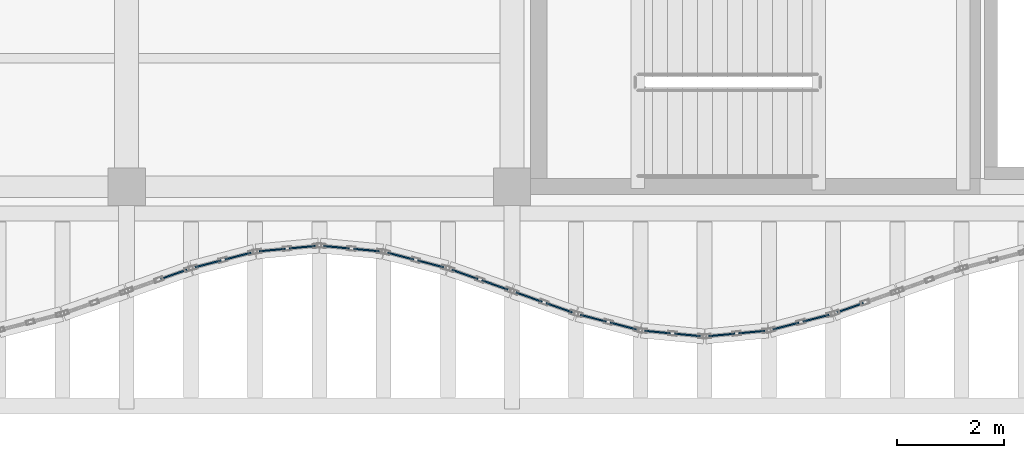
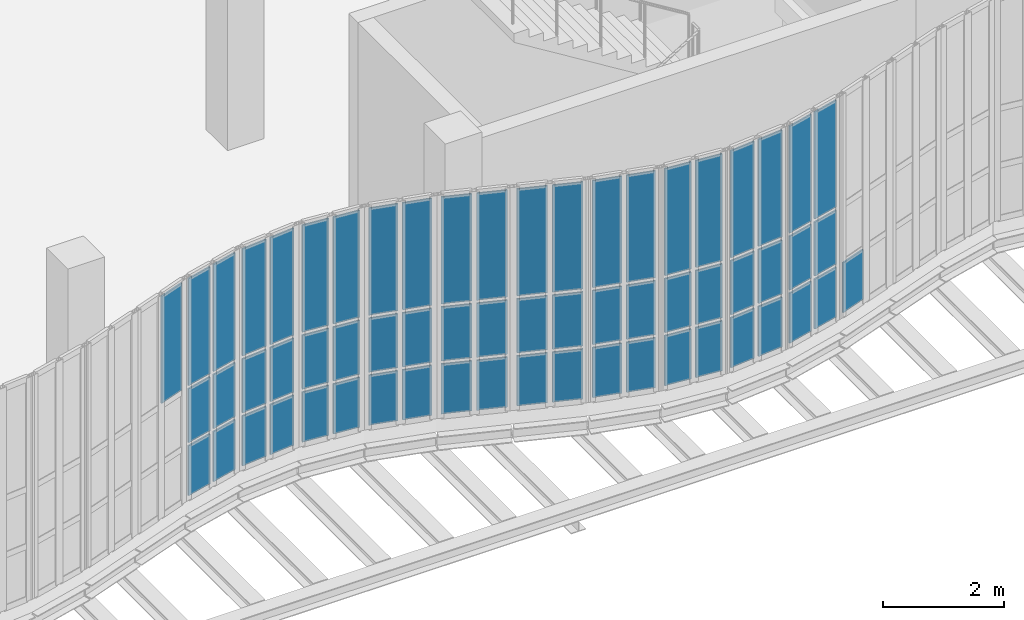
# One storey, part 69 of 108: 62 plates, 12 elements without a shape of their own.
"""IFC4 building model written with IfcOpenShell, lengths in metres."""

import ifcopenshell
import ifcopenshell.guid

model = None  # the IFC model being written
_history = None  # IfcOwnerHistory: only IFC2X3 demands one
_inside = {}  # id of a spatial element -> (the spatial element, [elements in it])
_under = {}  # id of a project, library or spatial element -> (it, [spatial elements below it])
_declared = {}  # id of a project -> (the project, [libraries it declares])
_typed = {}  # id of a type object -> (the type object, [elements of that type])
_made_of = {}  # id of a material, layer set ... -> (it, [elements and type objects made of it])


def new_model(schema):
    """Start an empty IFC model of exactly this schema.

    Asked for "IFC4X3", IfcOpenShell would pick the latest addendum, in which some entities
    have other attributes; the version numbers below select the first issue.
    IFC2X3 requires an IfcOwnerHistory on every rooted entity: one is made here for all.
    """
    global model, _history
    if schema == "IFC4X3":
        model = ifcopenshell.file(schema_version=(4, 3, 0, 0))
    else:
        model = ifcopenshell.file(schema=schema)
    _inside.clear()
    _under.clear()
    _declared.clear()
    _typed.clear()
    _made_of.clear()
    _history = None
    if model.schema == "IFC2X3":
        org = make("IfcOrganization", Name="unknown")
        user = make(
            "IfcPersonAndOrganization",
            ThePerson=make("IfcPerson", FamilyName="unknown"),
            TheOrganization=org,
        )
        app = make(
            "IfcApplication",
            ApplicationDeveloper=org,
            Version="unknown",
            ApplicationFullName="unknown",
            ApplicationIdentifier="unknown",
        )
        _history = make(
            "IfcOwnerHistory",
            OwningUser=user,
            OwningApplication=app,
            ChangeAction="ADDED",
            CreationDate=0,
        )
    return model


def make(cls, **values):
    """One entity of the class cls with the attributes given. An attribute that is None is left unset."""
    return model.create_entity(
        cls, **{name: value for name, value in values.items() if value is not None}
    )


def rooted(cls, **values):
    """An entity with a GlobalId (a new one), such as an element, a storey or a relation."""
    return make(cls, GlobalId=ifcopenshell.guid.new(), OwnerHistory=_history, **values)


def si_unit(unit_type, name, prefix=None):
    """IfcSIUnit, for example si_unit("LENGTHUNIT", "METRE", prefix="MILLI")."""
    return make("IfcSIUnit", UnitType=unit_type, Prefix=prefix, Name=name)


def assignment(units):
    """IfcUnitAssignment: the units of a project."""
    return None if units is None else make("IfcUnitAssignment", Units=units)


def point(xyz):
    """IfcCartesianPoint."""
    return None if xyz is None else make("IfcCartesianPoint", Coordinates=xyz)


def direction(xyz):
    """IfcDirection."""
    return None if xyz is None else make("IfcDirection", DirectionRatios=xyz)


def frame(location, z_axis=None, x_axis=None):
    """IfcAxis2Placement3D, a coordinate frame: its origin and axes. An axis left out is left unset."""
    return make(
        "IfcAxis2Placement3D",
        Location=point(location),
        Axis=direction(z_axis),
        RefDirection=direction(x_axis),
    )


def frame_2d(location, x_axis=None):
    """IfcAxis2Placement2D, a coordinate frame in the plane: its origin and x axis."""
    return make(
        "IfcAxis2Placement2D", Location=point(location), RefDirection=direction(x_axis)
    )


def origin():
    """The frame at (0, 0, 0) with its axes left unset."""
    return frame((0.0, 0.0, 0.0))


def origin_2d():
    """The frame at (0, 0) in the plane with its x axis left unset."""
    return frame_2d((0.0, 0.0))


def place(relative_to, where):
    """IfcLocalPlacement: puts the frame where relative to a parent placement (None: the world)."""
    return make(
        "IfcLocalPlacement", PlacementRelTo=relative_to, RelativePlacement=where
    )


def context(
    kind, dimensions, precision=None, world=None, true_north=None, identifier=None
):
    """IfcGeometricRepresentationContext, for example the 3D "Model" context."""
    return make(
        "IfcGeometricRepresentationContext",
        ContextIdentifier=identifier,
        ContextType=kind,
        CoordinateSpaceDimension=dimensions,
        Precision=precision,
        WorldCoordinateSystem=world,
        TrueNorth=true_north,
    )


def subcontext(parent, identifier, kind, view, scale=None):
    """IfcGeometricRepresentationSubContext, for example "Body" below "Model"."""
    return make(
        "IfcGeometricRepresentationSubContext",
        ContextIdentifier=identifier,
        ContextType=kind,
        ParentContext=parent,
        TargetScale=scale,
        TargetView=view,
    )


def project(units=None, contexts=None):
    """IfcProject with its units and contexts."""
    return rooted(
        "IfcProject",
        Name="project",
        RepresentationContexts=contexts,
        UnitsInContext=assignment(units),
    )


def spatial(cls, under=None, at=None, **own):
    """A site, building, storey or space (cls), placed at a placement, below another one or the project."""
    s = rooted(cls, ObjectPlacement=at, **own)
    if under is not None:
        _under.setdefault(under.id(), (under, []))[1].append(s)
    return s


def profile(cls, at=None, kind="AREA", **sizes):
    """A parametric profile (cls). Its sizes go by their IFC names, for example OverallWidth=200.0."""
    return make(cls, ProfileType=kind, Position=at, **sizes)


def rectangle(**sizes):
    """IfcRectangleProfileDef."""
    return profile("IfcRectangleProfileDef", **sizes)


def extrude(swept, where, along, depth):
    """IfcExtrudedAreaSolid: the profile swept, set in the frame where, extruded along a direction by depth."""
    return make(
        "IfcExtrudedAreaSolid",
        SweptArea=swept,
        Position=where,
        ExtrudedDirection=direction(along),
        Depth=depth,
    )


def shape(context_of_items, identifier, shape_type, items):
    """IfcShapeRepresentation: the items that make up one representation, for example the "Body"."""
    return make(
        "IfcShapeRepresentation",
        ContextOfItems=context_of_items,
        RepresentationIdentifier=identifier,
        RepresentationType=shape_type,
        Items=items,
    )


def material(Name=None, Category=None):
    """IfcMaterial."""
    return make("IfcMaterial", Name=Name, Category=Category)


def layer(
    of_material, thickness, ventilated=None, Name=None, Category=None, Priority=None
):
    """IfcMaterialLayer: one layer of a wall or slab, of a material (None: an air gap)."""
    return make(
        "IfcMaterialLayer",
        Material=of_material,
        LayerThickness=thickness,
        IsVentilated=ventilated,
        Name=Name,
        Category=Category,
        Priority=Priority,
    )


def layer_set(layers, Name=None):
    """IfcMaterialLayerSet."""
    return make("IfcMaterialLayerSet", MaterialLayers=layers, LayerSetName=Name)


def made_of(thing, what):
    """Note that an element or type object is made of a material, layer set ...; save() writes the relation."""
    if what is not None:
        _made_of.setdefault(what.id(), (what, []))[1].append(thing)
    return thing


def type_object(cls, material=None, **own):
    """A type object (cls), such as IfcWallType, which elements share."""
    return made_of(rooted(cls, **own), material)


def element(
    cls,
    number,
    at=None,
    inside=None,
    cuts=None,
    type_object=None,
    material=None,
    context=None,
    identifier="Body",
    shape_type=None,
    held_by="IfcProductDefinitionShape",
    body=None,
    shapes=None,
    **own,
):
    """One element of the class cls, such as IfcWall. Its Tag is "e" and its number.

    at: its placement. inside: the storey or other place that contains it. cuts: it is an
    opening in that element (IfcRelVoidsElement). A single representation is given by context,
    identifier, shape_type and body (its items); several are given by shapes. held_by: the class
    of the entity that holds the representations. save() writes the other relations.
    """
    e = rooted(cls, Tag="e%d" % number, ObjectPlacement=at, **own)
    if body is not None:
        shapes = [shape(context, identifier, shape_type, body)]
    if shapes is not None:
        e.Representation = make(held_by, Representations=shapes)
    if inside is not None:
        _inside.setdefault(inside.id(), (inside, []))[1].append(e)
    if cuts is not None:
        rooted(
            "IfcRelVoidsElement", RelatingBuildingElement=cuts, RelatedOpeningElement=e
        )
    if type_object is not None:
        _typed.setdefault(type_object.id(), (type_object, []))[1].append(e)
    return made_of(e, material)


def aggregate(whole, parts):
    """IfcRelAggregates: a whole, such as a stair, and the parts it consists of."""
    return rooted("IfcRelAggregates", RelatingObject=whole, RelatedObjects=parts)


def save(model, path):
    """Write the relations noted so far, then the file.

    IfcRelAggregates (storeys below a building ...), IfcRelContainedInSpatialStructure (elements
    in a storey), IfcRelDefinesByType, IfcRelAssociatesMaterial and IfcRelDeclares: one each for
    every whole, place, type object, material and project.
    """
    for whole, parts in _under.values():
        aggregate(whole, parts)
    for where, things in _inside.values():
        rooted(
            "IfcRelContainedInSpatialStructure",
            RelatedElements=things,
            RelatingStructure=where,
        )
    for kind, things in _typed.values():
        rooted("IfcRelDefinesByType", RelatedObjects=things, RelatingType=kind)
    for what, things in _made_of.values():
        rooted("IfcRelAssociatesMaterial", RelatedObjects=things, RelatingMaterial=what)
    for by, libraries in _declared.values():
        rooted("IfcRelDeclares", RelatingContext=by, RelatedDefinitions=libraries)
    model.write(path)


model = new_model("IFC4")

# Units and contexts
model_context = context("Model", 3, precision=1e-05, world=origin(), true_north=direction((0.0, 1.0)))
body_context = subcontext(model_context, "Body", "Model", "MODEL_VIEW")
ifc_project = project(units=[si_unit("LENGTHUNIT", "METRE"), si_unit("AREAUNIT", "SQUARE_METRE"), si_unit("VOLUMEUNIT", "CUBIC_METRE"), si_unit("PLANEANGLEUNIT", "RADIAN"), si_unit("MASSUNIT", "GRAM", prefix="KILO"), si_unit("THERMODYNAMICTEMPERATUREUNIT", "KELVIN"), si_unit("POWERUNIT", "WATT")], contexts=[model_context])

# Site, building, storey
site_placement = place(None, origin())
site = spatial("IfcSite", under=ifc_project, at=site_placement, CompositionType="ELEMENT")
building_placement = place(site_placement, origin())
building = spatial("IfcBuilding", under=site, at=building_placement, Name="Kaldorven Railside Theatre", CompositionType="ELEMENT")
storey_placement = place(building_placement, frame((0.0, 0.0, 5.39990234375)))
storey = spatial("IfcBuildingStorey", under=building, at=storey_placement, Name="L01", CompositionType="ELEMENT", Elevation=5.39990234375)

# Curtain wall, plate
ifc_material = material(Name="Low-E laminated solar-control glass", Category="glass")
ifc_layer_1 = layer(ifc_material, 0.159912109375, Name="Low-E laminated solar-control glass")
ifc_layer_set_1 = layer_set([ifc_layer_1], Name="Low-E laminated solar-control glass")
curtain_wall_type_1 = type_object("IfcCurtainWallType", Name="CWT-01", PredefinedType="USERDEFINED", material=ifc_layer_set_1)
curtain_wall_1_placement = place(storey_placement, origin())
curtain_wall_1 = element("IfcCurtainWall", 1, at=curtain_wall_1_placement, inside=storey, type_object=curtain_wall_type_1, Name="Sinusoidal Fluted Curtain Wall CW-L01-S13", ObjectType="FLUTED GLAZING", PredefinedType="USERDEFINED")
ifc_layer_2 = layer(ifc_material, 0.028076171875, Name="Low-E laminated solar-control glass")
ifc_layer_set_2 = layer_set([ifc_layer_2], Name="Low-E laminated solar-control glass")
plate_type = type_object("IfcPlateType", Name="CWP-GLZ28", PredefinedType="CURTAIN_PANEL", material=ifc_layer_set_2)
plate_1_placement = place(storey_placement, frame((52.0810546875, 17.56201171875, 2.2802734375), z_axis=(0.0, 0.0, 1.0), x_axis=(0.942627225159, 0.33384714225, 0.0)))
plate_1 = element("IfcPlate", 2, at=plate_1_placement, type_object=plate_type, Name="CW-L01-S13 panel 2.3", PredefinedType="CURTAIN_PANEL", context=body_context, shape_type="SweptSolid", body=[
    extrude(rectangle(XDim=0.5166015625, YDim=0.028076171875, at=origin_2d()), origin(), (0.0, 0.0, 1.0), 2.159912109375),
])
aggregate(curtain_wall_1, [plate_1])

# Curtain wall, plates
ifc_layer_3 = layer(ifc_material, 0.159912109375, Name="Low-E laminated solar-control glass")
ifc_layer_set_3 = layer_set([ifc_layer_3], Name="Low-E laminated solar-control glass")
curtain_wall_type_2 = type_object("IfcCurtainWallType", Name="CWT-02", PredefinedType="USERDEFINED", material=ifc_layer_set_3)
curtain_wall_2_placement = place(storey_placement, origin())
curtain_wall_2 = element("IfcCurtainWall", 3, at=curtain_wall_2_placement, inside=storey, type_object=curtain_wall_type_2, Name="Sinusoidal Fluted Curtain Wall CW-L01-S14", ObjectType="FLUTED GLAZING", PredefinedType="USERDEFINED")
plate_2_placement = place(storey_placement, frame((52.71923828125, 17.7578125, 0.06005859375), z_axis=(0.0, 0.0, 1.0), x_axis=(0.967999075505, 0.250953760326, 0.0)))
plate_2 = element("IfcPlate", 4, at=plate_2_placement, type_object=plate_type, Name="CW-L01-S14 panel 1.1", PredefinedType="CURTAIN_PANEL", context=body_context, shape_type="SweptSolid", body=[
    extrude(rectangle(XDim=0.499755859375, YDim=0.028076171875, at=origin_2d()), origin(), (0.0, 0.0, 1.0), 1.010009765625),
])
plate_3_placement = place(storey_placement, frame((52.71923828125, 17.7578125, 1.1298828125), z_axis=(0.0, 0.0, 1.0), x_axis=(0.967999075505, 0.250953760326, 0.0)))
plate_3 = element("IfcPlate", 5, at=plate_3_placement, type_object=plate_type, Name="CW-L01-S14 panel 1.2", PredefinedType="CURTAIN_PANEL", context=body_context, shape_type="SweptSolid", body=[
    extrude(rectangle(XDim=0.499755859375, YDim=0.028076171875, at=origin_2d()), origin(), (0.0, 0.0, 1.0), 1.090087890625),
])
plate_4_placement = place(storey_placement, frame((52.71923828125, 17.7578125, 2.2802734375), z_axis=(0.0, 0.0, 1.0), x_axis=(0.967999075505, 0.250953760326, 0.0)))
plate_4 = element("IfcPlate", 6, at=plate_4_placement, type_object=plate_type, Name="CW-L01-S14 panel 1.3", PredefinedType="CURTAIN_PANEL", context=body_context, shape_type="SweptSolid", body=[
    extrude(rectangle(XDim=0.499755859375, YDim=0.028076171875, at=origin_2d()), origin(), (0.0, 0.0, 1.0), 2.159912109375),
])
plate_5_placement = place(storey_placement, frame((53.28076171875, 17.9033203125, 0.06005859375), z_axis=(0.0, 0.0, 1.0), x_axis=(0.967999075505, 0.250953760326, 0.0)))
plate_5 = element("IfcPlate", 7, at=plate_5_placement, type_object=plate_type, Name="CW-L01-S14 panel 2.1", PredefinedType="CURTAIN_PANEL", context=body_context, shape_type="SweptSolid", body=[
    extrude(rectangle(XDim=0.499755859375, YDim=0.028076171875, at=origin_2d()), origin(), (0.0, 0.0, 1.0), 1.010009765625),
])
plate_6_placement = place(storey_placement, frame((53.28076171875, 17.9033203125, 1.1298828125), z_axis=(0.0, 0.0, 1.0), x_axis=(0.967999075505, 0.250953760326, 0.0)))
plate_6 = element("IfcPlate", 8, at=plate_6_placement, type_object=plate_type, Name="CW-L01-S14 panel 2.2", PredefinedType="CURTAIN_PANEL", context=body_context, shape_type="SweptSolid", body=[
    extrude(rectangle(XDim=0.499755859375, YDim=0.028076171875, at=origin_2d()), origin(), (0.0, 0.0, 1.0), 1.090087890625),
])
plate_7_placement = place(storey_placement, frame((53.28076171875, 17.9033203125, 2.2802734375), z_axis=(0.0, 0.0, 1.0), x_axis=(0.967999075505, 0.250953760326, 0.0)))
plate_7 = element("IfcPlate", 9, at=plate_7_placement, type_object=plate_type, Name="CW-L01-S14 panel 2.3", PredefinedType="CURTAIN_PANEL", context=body_context, shape_type="SweptSolid", body=[
    extrude(rectangle(XDim=0.499755859375, YDim=0.028076171875, at=origin_2d()), origin(), (0.0, 0.0, 1.0), 2.159912109375),
])
aggregate(curtain_wall_2, [plate_2, plate_3, plate_4, plate_5, plate_6, plate_7])

ifc_layer_4 = layer(ifc_material, 0.159912109375, Name="Low-E laminated solar-control glass")
ifc_layer_set_4 = layer_set([ifc_layer_4], Name="Low-E laminated solar-control glass")
curtain_wall_type_3 = type_object("IfcCurtainWallType", Name="CWT-03", PredefinedType="USERDEFINED", material=ifc_layer_set_4)
curtain_wall_3_placement = place(storey_placement, origin())
curtain_wall_3 = element("IfcCurtainWall", 10, at=curtain_wall_3_placement, inside=storey, type_object=curtain_wall_type_3, Name="Sinusoidal Fluted Curtain Wall CW-L01-S15", ObjectType="FLUTED GLAZING", PredefinedType="USERDEFINED")
plate_8_placement = place(storey_placement, frame((53.919921875, 18.016357421875, 0.06005859375), z_axis=(0.0, 0.0, 1.0), x_axis=(0.995525623425, 0.094491973758, 0.0)))
plate_8 = element("IfcPlate", 11, at=plate_8_placement, type_object=plate_type, Name="CW-L01-S15 panel 1.1", PredefinedType="CURTAIN_PANEL", context=body_context, shape_type="SweptSolid", body=[
    extrude(rectangle(XDim=0.482666015625, YDim=0.028076171875, at=origin_2d()), origin(), (0.0, 0.0, 1.0), 1.010009765625),
])
plate_9_placement = place(storey_placement, frame((53.919921875, 18.016357421875, 1.1298828125), z_axis=(0.0, 0.0, 1.0), x_axis=(0.995525623425, 0.094491973758, 0.0)))
plate_9 = element("IfcPlate", 12, at=plate_9_placement, type_object=plate_type, Name="CW-L01-S15 panel 1.2", PredefinedType="CURTAIN_PANEL", context=body_context, shape_type="SweptSolid", body=[
    extrude(rectangle(XDim=0.482666015625, YDim=0.028076171875, at=origin_2d()), origin(), (0.0, 0.0, 1.0), 1.090087890625),
])
plate_10_placement = place(storey_placement, frame((53.919921875, 18.016357421875, 2.2802734375), z_axis=(0.0, 0.0, 1.0), x_axis=(0.995525623425, 0.094491973758, 0.0)))
plate_10 = element("IfcPlate", 13, at=plate_10_placement, type_object=plate_type, Name="CW-L01-S15 panel 1.3", PredefinedType="CURTAIN_PANEL", context=body_context, shape_type="SweptSolid", body=[
    extrude(rectangle(XDim=0.482666015625, YDim=0.028076171875, at=origin_2d()), origin(), (0.0, 0.0, 1.0), 2.159912109375),
])
plate_11_placement = place(storey_placement, frame((54.47998046875, 18.069580078125, 0.06005859375), z_axis=(0.0, 0.0, 1.0), x_axis=(0.995525623425, 0.094491973758, 0.0)))
plate_11 = element("IfcPlate", 14, at=plate_11_placement, type_object=plate_type, Name="CW-L01-S15 panel 2.1", PredefinedType="CURTAIN_PANEL", context=body_context, shape_type="SweptSolid", body=[
    extrude(rectangle(XDim=0.482666015625, YDim=0.028076171875, at=origin_2d()), origin(), (0.0, 0.0, 1.0), 1.010009765625),
])
plate_12_placement = place(storey_placement, frame((54.47998046875, 18.069580078125, 1.1298828125), z_axis=(0.0, 0.0, 1.0), x_axis=(0.995525623425, 0.094491973758, 0.0)))
plate_12 = element("IfcPlate", 15, at=plate_12_placement, type_object=plate_type, Name="CW-L01-S15 panel 2.2", PredefinedType="CURTAIN_PANEL", context=body_context, shape_type="SweptSolid", body=[
    extrude(rectangle(XDim=0.482666015625, YDim=0.028076171875, at=origin_2d()), origin(), (0.0, 0.0, 1.0), 1.090087890625),
])
plate_13_placement = place(storey_placement, frame((54.47998046875, 18.069580078125, 2.2802734375), z_axis=(0.0, 0.0, 1.0), x_axis=(0.995525623425, 0.094491973758, 0.0)))
plate_13 = element("IfcPlate", 16, at=plate_13_placement, type_object=plate_type, Name="CW-L01-S15 panel 2.3", PredefinedType="CURTAIN_PANEL", context=body_context, shape_type="SweptSolid", body=[
    extrude(rectangle(XDim=0.482666015625, YDim=0.028076171875, at=origin_2d()), origin(), (0.0, 0.0, 1.0), 2.159912109375),
])
aggregate(curtain_wall_3, [plate_8, plate_9, plate_10, plate_11, plate_12, plate_13])

curtain_wall_4_placement = place(storey_placement, origin())
curtain_wall_4 = element("IfcCurtainWall", 17, at=curtain_wall_4_placement, inside=storey, type_object=curtain_wall_type_3, Name="Sinusoidal Fluted Curtain Wall CW-L01-S16", ObjectType="FLUTED GLAZING", PredefinedType="USERDEFINED")
plate_14_placement = place(storey_placement, frame((55.119873046875, 18.069580078125, 0.06005859375), z_axis=(0.0, 0.0, 1.0), x_axis=(0.995525623425, -0.094491973758, 0.0)))
plate_14 = element("IfcPlate", 18, at=plate_14_placement, type_object=plate_type, Name="CW-L01-S16 panel 1.1", PredefinedType="CURTAIN_PANEL", context=body_context, shape_type="SweptSolid", body=[
    extrude(rectangle(XDim=0.482666015625, YDim=0.028076171875, at=origin_2d()), origin(), (0.0, 0.0, 1.0), 1.010009765625),
])
plate_15_placement = place(storey_placement, frame((55.119873046875, 18.069580078125, 1.1298828125), z_axis=(0.0, 0.0, 1.0), x_axis=(0.995525623425, -0.094491973758, 0.0)))
plate_15 = element("IfcPlate", 19, at=plate_15_placement, type_object=plate_type, Name="CW-L01-S16 panel 1.2", PredefinedType="CURTAIN_PANEL", context=body_context, shape_type="SweptSolid", body=[
    extrude(rectangle(XDim=0.482666015625, YDim=0.028076171875, at=origin_2d()), origin(), (0.0, 0.0, 1.0), 1.090087890625),
])
plate_16_placement = place(storey_placement, frame((55.119873046875, 18.069580078125, 2.2802734375), z_axis=(0.0, 0.0, 1.0), x_axis=(0.995525623425, -0.094491973758, 0.0)))
plate_16 = element("IfcPlate", 20, at=plate_16_placement, type_object=plate_type, Name="CW-L01-S16 panel 1.3", PredefinedType="CURTAIN_PANEL", context=body_context, shape_type="SweptSolid", body=[
    extrude(rectangle(XDim=0.482666015625, YDim=0.028076171875, at=origin_2d()), origin(), (0.0, 0.0, 1.0), 2.159912109375),
])
plate_17_placement = place(storey_placement, frame((55.68017578125, 18.016357421875, 0.06005859375), z_axis=(0.0, 0.0, 1.0), x_axis=(0.995525623425, -0.094491973758, 0.0)))
plate_17 = element("IfcPlate", 21, at=plate_17_placement, type_object=plate_type, Name="CW-L01-S16 panel 2.1", PredefinedType="CURTAIN_PANEL", context=body_context, shape_type="SweptSolid", body=[
    extrude(rectangle(XDim=0.482666015625, YDim=0.028076171875, at=origin_2d()), origin(), (0.0, 0.0, 1.0), 1.010009765625),
])
plate_18_placement = place(storey_placement, frame((55.68017578125, 18.016357421875, 1.1298828125), z_axis=(0.0, 0.0, 1.0), x_axis=(0.995525623425, -0.094491973758, 0.0)))
plate_18 = element("IfcPlate", 22, at=plate_18_placement, type_object=plate_type, Name="CW-L01-S16 panel 2.2", PredefinedType="CURTAIN_PANEL", context=body_context, shape_type="SweptSolid", body=[
    extrude(rectangle(XDim=0.482666015625, YDim=0.028076171875, at=origin_2d()), origin(), (0.0, 0.0, 1.0), 1.090087890625),
])
plate_19_placement = place(storey_placement, frame((55.68017578125, 18.016357421875, 2.2802734375), z_axis=(0.0, 0.0, 1.0), x_axis=(0.995525623425, -0.094491973758, 0.0)))
plate_19 = element("IfcPlate", 23, at=plate_19_placement, type_object=plate_type, Name="CW-L01-S16 panel 2.3", PredefinedType="CURTAIN_PANEL", context=body_context, shape_type="SweptSolid", body=[
    extrude(rectangle(XDim=0.482666015625, YDim=0.028076171875, at=origin_2d()), origin(), (0.0, 0.0, 1.0), 2.159912109375),
])
aggregate(curtain_wall_4, [plate_14, plate_15, plate_16, plate_17, plate_18, plate_19])

curtain_wall_5_placement = place(storey_placement, origin())
curtain_wall_5 = element("IfcCurtainWall", 24, at=curtain_wall_5_placement, inside=storey, type_object=curtain_wall_type_2, Name="Sinusoidal Fluted Curtain Wall CW-L01-S17", ObjectType="FLUTED GLAZING", PredefinedType="USERDEFINED")
plate_20_placement = place(storey_placement, frame((56.3193359375, 17.9033203125, 0.06005859375), z_axis=(0.0, 0.0, 1.0), x_axis=(0.967999075505, -0.250953760326, 0.0)))
plate_20 = element("IfcPlate", 25, at=plate_20_placement, type_object=plate_type, Name="CW-L01-S17 panel 1.1", PredefinedType="CURTAIN_PANEL", context=body_context, shape_type="SweptSolid", body=[
    extrude(rectangle(XDim=0.499755859375, YDim=0.028076171875, at=origin_2d()), origin(), (0.0, 0.0, 1.0), 1.010009765625),
])
plate_21_placement = place(storey_placement, frame((56.3193359375, 17.9033203125, 1.1298828125), z_axis=(0.0, 0.0, 1.0), x_axis=(0.967999075505, -0.250953760326, 0.0)))
plate_21 = element("IfcPlate", 26, at=plate_21_placement, type_object=plate_type, Name="CW-L01-S17 panel 1.2", PredefinedType="CURTAIN_PANEL", context=body_context, shape_type="SweptSolid", body=[
    extrude(rectangle(XDim=0.499755859375, YDim=0.028076171875, at=origin_2d()), origin(), (0.0, 0.0, 1.0), 1.090087890625),
])
plate_22_placement = place(storey_placement, frame((56.3193359375, 17.9033203125, 2.2802734375), z_axis=(0.0, 0.0, 1.0), x_axis=(0.967999075505, -0.250953760326, 0.0)))
plate_22 = element("IfcPlate", 27, at=plate_22_placement, type_object=plate_type, Name="CW-L01-S17 panel 1.3", PredefinedType="CURTAIN_PANEL", context=body_context, shape_type="SweptSolid", body=[
    extrude(rectangle(XDim=0.499755859375, YDim=0.028076171875, at=origin_2d()), origin(), (0.0, 0.0, 1.0), 2.159912109375),
])
plate_23_placement = place(storey_placement, frame((56.880615234375, 17.7578125, 0.06005859375), z_axis=(0.0, 0.0, 1.0), x_axis=(0.967999075505, -0.250953760326, 0.0)))
plate_23 = element("IfcPlate", 28, at=plate_23_placement, type_object=plate_type, Name="CW-L01-S17 panel 2.1", PredefinedType="CURTAIN_PANEL", context=body_context, shape_type="SweptSolid", body=[
    extrude(rectangle(XDim=0.499755859375, YDim=0.028076171875, at=origin_2d()), origin(), (0.0, 0.0, 1.0), 1.010009765625),
])
plate_24_placement = place(storey_placement, frame((56.880615234375, 17.7578125, 1.1298828125), z_axis=(0.0, 0.0, 1.0), x_axis=(0.967999075505, -0.250953760326, 0.0)))
plate_24 = element("IfcPlate", 29, at=plate_24_placement, type_object=plate_type, Name="CW-L01-S17 panel 2.2", PredefinedType="CURTAIN_PANEL", context=body_context, shape_type="SweptSolid", body=[
    extrude(rectangle(XDim=0.499755859375, YDim=0.028076171875, at=origin_2d()), origin(), (0.0, 0.0, 1.0), 1.090087890625),
])
plate_25_placement = place(storey_placement, frame((56.880615234375, 17.7578125, 2.2802734375), z_axis=(0.0, 0.0, 1.0), x_axis=(0.967999075505, -0.250953760326, 0.0)))
plate_25 = element("IfcPlate", 30, at=plate_25_placement, type_object=plate_type, Name="CW-L01-S17 panel 2.3", PredefinedType="CURTAIN_PANEL", context=body_context, shape_type="SweptSolid", body=[
    extrude(rectangle(XDim=0.499755859375, YDim=0.028076171875, at=origin_2d()), origin(), (0.0, 0.0, 1.0), 2.159912109375),
])
aggregate(curtain_wall_5, [plate_20, plate_21, plate_22, plate_23, plate_24, plate_25])

curtain_wall_6_placement = place(storey_placement, origin())
curtain_wall_6 = element("IfcCurtainWall", 31, at=curtain_wall_6_placement, inside=storey, type_object=curtain_wall_type_1, Name="Sinusoidal Fluted Curtain Wall CW-L01-S18", ObjectType="FLUTED GLAZING", PredefinedType="USERDEFINED")
plate_26_placement = place(storey_placement, frame((57.518798828125, 17.56201171875, 0.06005859375), z_axis=(0.0, 0.0, 1.0), x_axis=(0.942627225159, -0.33384714225, 0.0)))
plate_26 = element("IfcPlate", 32, at=plate_26_placement, type_object=plate_type, Name="CW-L01-S18 panel 1.1", PredefinedType="CURTAIN_PANEL", context=body_context, shape_type="SweptSolid", body=[
    extrude(rectangle(XDim=0.5166015625, YDim=0.028076171875, at=origin_2d()), origin(), (0.0, 0.0, 1.0), 1.010009765625),
])
plate_27_placement = place(storey_placement, frame((57.518798828125, 17.56201171875, 1.1298828125), z_axis=(0.0, 0.0, 1.0), x_axis=(0.942627225159, -0.33384714225, 0.0)))
plate_27 = element("IfcPlate", 33, at=plate_27_placement, type_object=plate_type, Name="CW-L01-S18 panel 1.2", PredefinedType="CURTAIN_PANEL", context=body_context, shape_type="SweptSolid", body=[
    extrude(rectangle(XDim=0.5166015625, YDim=0.028076171875, at=origin_2d()), origin(), (0.0, 0.0, 1.0), 1.090087890625),
])
plate_28_placement = place(storey_placement, frame((57.518798828125, 17.56201171875, 2.2802734375), z_axis=(0.0, 0.0, 1.0), x_axis=(0.942627225159, -0.33384714225, 0.0)))
plate_28 = element("IfcPlate", 34, at=plate_28_placement, type_object=plate_type, Name="CW-L01-S18 panel 1.3", PredefinedType="CURTAIN_PANEL", context=body_context, shape_type="SweptSolid", body=[
    extrude(rectangle(XDim=0.5166015625, YDim=0.028076171875, at=origin_2d()), origin(), (0.0, 0.0, 1.0), 2.159912109375),
])
plate_29_placement = place(storey_placement, frame((58.0810546875, 17.363037109375, 0.06005859375), z_axis=(0.0, 0.0, 1.0), x_axis=(0.942627225159, -0.33384714225, 0.0)))
plate_29 = element("IfcPlate", 35, at=plate_29_placement, type_object=plate_type, Name="CW-L01-S18 panel 2.1", PredefinedType="CURTAIN_PANEL", context=body_context, shape_type="SweptSolid", body=[
    extrude(rectangle(XDim=0.5166015625, YDim=0.028076171875, at=origin_2d()), origin(), (0.0, 0.0, 1.0), 1.010009765625),
])
plate_30_placement = place(storey_placement, frame((58.0810546875, 17.363037109375, 1.1298828125), z_axis=(0.0, 0.0, 1.0), x_axis=(0.942627225159, -0.33384714225, 0.0)))
plate_30 = element("IfcPlate", 36, at=plate_30_placement, type_object=plate_type, Name="CW-L01-S18 panel 2.2", PredefinedType="CURTAIN_PANEL", context=body_context, shape_type="SweptSolid", body=[
    extrude(rectangle(XDim=0.5166015625, YDim=0.028076171875, at=origin_2d()), origin(), (0.0, 0.0, 1.0), 1.090087890625),
])
plate_31_placement = place(storey_placement, frame((58.0810546875, 17.363037109375, 2.2802734375), z_axis=(0.0, 0.0, 1.0), x_axis=(0.942627225159, -0.33384714225, 0.0)))
plate_31 = element("IfcPlate", 37, at=plate_31_placement, type_object=plate_type, Name="CW-L01-S18 panel 2.3", PredefinedType="CURTAIN_PANEL", context=body_context, shape_type="SweptSolid", body=[
    extrude(rectangle(XDim=0.5166015625, YDim=0.028076171875, at=origin_2d()), origin(), (0.0, 0.0, 1.0), 2.159912109375),
])
aggregate(curtain_wall_6, [plate_26, plate_27, plate_28, plate_29, plate_30, plate_31])

curtain_wall_7_placement = place(storey_placement, origin())
curtain_wall_7 = element("IfcCurtainWall", 38, at=curtain_wall_7_placement, inside=storey, type_object=curtain_wall_type_1, Name="Sinusoidal Fluted Curtain Wall CW-L01-S19", ObjectType="FLUTED GLAZING", PredefinedType="USERDEFINED")
plate_32_placement = place(storey_placement, frame((58.71875, 17.136962890625, 0.06005859375), z_axis=(0.0, 0.0, 1.0), x_axis=(0.942627225159, -0.33384714225, 0.0)))
plate_32 = element("IfcPlate", 39, at=plate_32_placement, type_object=plate_type, Name="CW-L01-S19 panel 1.1", PredefinedType="CURTAIN_PANEL", context=body_context, shape_type="SweptSolid", body=[
    extrude(rectangle(XDim=0.5166015625, YDim=0.028076171875, at=origin_2d()), origin(), (0.0, 0.0, 1.0), 1.010009765625),
])
plate_33_placement = place(storey_placement, frame((58.71875, 17.136962890625, 1.1298828125), z_axis=(0.0, 0.0, 1.0), x_axis=(0.942627225159, -0.33384714225, 0.0)))
plate_33 = element("IfcPlate", 40, at=plate_33_placement, type_object=plate_type, Name="CW-L01-S19 panel 1.2", PredefinedType="CURTAIN_PANEL", context=body_context, shape_type="SweptSolid", body=[
    extrude(rectangle(XDim=0.5166015625, YDim=0.028076171875, at=origin_2d()), origin(), (0.0, 0.0, 1.0), 1.090087890625),
])
plate_34_placement = place(storey_placement, frame((58.71875, 17.136962890625, 2.2802734375), z_axis=(0.0, 0.0, 1.0), x_axis=(0.942627225159, -0.33384714225, 0.0)))
plate_34 = element("IfcPlate", 41, at=plate_34_placement, type_object=plate_type, Name="CW-L01-S19 panel 1.3", PredefinedType="CURTAIN_PANEL", context=body_context, shape_type="SweptSolid", body=[
    extrude(rectangle(XDim=0.5166015625, YDim=0.028076171875, at=origin_2d()), origin(), (0.0, 0.0, 1.0), 2.159912109375),
])
plate_35_placement = place(storey_placement, frame((59.28125, 16.93798828125, 0.06005859375), z_axis=(0.0, 0.0, 1.0), x_axis=(0.942627225159, -0.33384714225, 0.0)))
plate_35 = element("IfcPlate", 42, at=plate_35_placement, type_object=plate_type, Name="CW-L01-S19 panel 2.1", PredefinedType="CURTAIN_PANEL", context=body_context, shape_type="SweptSolid", body=[
    extrude(rectangle(XDim=0.5166015625, YDim=0.028076171875, at=origin_2d()), origin(), (0.0, 0.0, 1.0), 1.010009765625),
])
plate_36_placement = place(storey_placement, frame((59.28125, 16.93798828125, 1.1298828125), z_axis=(0.0, 0.0, 1.0), x_axis=(0.942627225159, -0.33384714225, 0.0)))
plate_36 = element("IfcPlate", 43, at=plate_36_placement, type_object=plate_type, Name="CW-L01-S19 panel 2.2", PredefinedType="CURTAIN_PANEL", context=body_context, shape_type="SweptSolid", body=[
    extrude(rectangle(XDim=0.5166015625, YDim=0.028076171875, at=origin_2d()), origin(), (0.0, 0.0, 1.0), 1.090087890625),
])
plate_37_placement = place(storey_placement, frame((59.28125, 16.93798828125, 2.2802734375), z_axis=(0.0, 0.0, 1.0), x_axis=(0.942627225159, -0.33384714225, 0.0)))
plate_37 = element("IfcPlate", 44, at=plate_37_placement, type_object=plate_type, Name="CW-L01-S19 panel 2.3", PredefinedType="CURTAIN_PANEL", context=body_context, shape_type="SweptSolid", body=[
    extrude(rectangle(XDim=0.5166015625, YDim=0.028076171875, at=origin_2d()), origin(), (0.0, 0.0, 1.0), 2.159912109375),
])
aggregate(curtain_wall_7, [plate_32, plate_33, plate_34, plate_35, plate_36, plate_37])

curtain_wall_8_placement = place(storey_placement, origin())
curtain_wall_8 = element("IfcCurtainWall", 45, at=curtain_wall_8_placement, inside=storey, type_object=curtain_wall_type_2, Name="Sinusoidal Fluted Curtain Wall CW-L01-S20", ObjectType="FLUTED GLAZING", PredefinedType="USERDEFINED")
plate_38_placement = place(storey_placement, frame((59.91943359375, 16.7421875, 0.06005859375), z_axis=(0.0, 0.0, 1.0), x_axis=(0.967999075505, -0.250953760326, 0.0)))
plate_38 = element("IfcPlate", 46, at=plate_38_placement, type_object=plate_type, Name="CW-L01-S20 panel 1.1", PredefinedType="CURTAIN_PANEL", context=body_context, shape_type="SweptSolid", body=[
    extrude(rectangle(XDim=0.499755859375, YDim=0.028076171875, at=origin_2d()), origin(), (0.0, 0.0, 1.0), 1.010009765625),
])
plate_39_placement = place(storey_placement, frame((59.91943359375, 16.7421875, 1.1298828125), z_axis=(0.0, 0.0, 1.0), x_axis=(0.967999075505, -0.250953760326, 0.0)))
plate_39 = element("IfcPlate", 47, at=plate_39_placement, type_object=plate_type, Name="CW-L01-S20 panel 1.2", PredefinedType="CURTAIN_PANEL", context=body_context, shape_type="SweptSolid", body=[
    extrude(rectangle(XDim=0.499755859375, YDim=0.028076171875, at=origin_2d()), origin(), (0.0, 0.0, 1.0), 1.090087890625),
])
plate_40_placement = place(storey_placement, frame((59.91943359375, 16.7421875, 2.2802734375), z_axis=(0.0, 0.0, 1.0), x_axis=(0.967999075505, -0.250953760326, 0.0)))
plate_40 = element("IfcPlate", 48, at=plate_40_placement, type_object=plate_type, Name="CW-L01-S20 panel 1.3", PredefinedType="CURTAIN_PANEL", context=body_context, shape_type="SweptSolid", body=[
    extrude(rectangle(XDim=0.499755859375, YDim=0.028076171875, at=origin_2d()), origin(), (0.0, 0.0, 1.0), 2.159912109375),
])
plate_41_placement = place(storey_placement, frame((60.480712890625, 16.5966796875, 0.06005859375), z_axis=(0.0, 0.0, 1.0), x_axis=(0.967999075505, -0.250953760326, 0.0)))
plate_41 = element("IfcPlate", 49, at=plate_41_placement, type_object=plate_type, Name="CW-L01-S20 panel 2.1", PredefinedType="CURTAIN_PANEL", context=body_context, shape_type="SweptSolid", body=[
    extrude(rectangle(XDim=0.499755859375, YDim=0.028076171875, at=origin_2d()), origin(), (0.0, 0.0, 1.0), 1.010009765625),
])
plate_42_placement = place(storey_placement, frame((60.480712890625, 16.5966796875, 1.1298828125), z_axis=(0.0, 0.0, 1.0), x_axis=(0.967999075505, -0.250953760326, 0.0)))
plate_42 = element("IfcPlate", 50, at=plate_42_placement, type_object=plate_type, Name="CW-L01-S20 panel 2.2", PredefinedType="CURTAIN_PANEL", context=body_context, shape_type="SweptSolid", body=[
    extrude(rectangle(XDim=0.499755859375, YDim=0.028076171875, at=origin_2d()), origin(), (0.0, 0.0, 1.0), 1.090087890625),
])
plate_43_placement = place(storey_placement, frame((60.480712890625, 16.5966796875, 2.2802734375), z_axis=(0.0, 0.0, 1.0), x_axis=(0.967999075505, -0.250953760326, 0.0)))
plate_43 = element("IfcPlate", 51, at=plate_43_placement, type_object=plate_type, Name="CW-L01-S20 panel 2.3", PredefinedType="CURTAIN_PANEL", context=body_context, shape_type="SweptSolid", body=[
    extrude(rectangle(XDim=0.499755859375, YDim=0.028076171875, at=origin_2d()), origin(), (0.0, 0.0, 1.0), 2.159912109375),
])
aggregate(curtain_wall_8, [plate_38, plate_39, plate_40, plate_41, plate_42, plate_43])

curtain_wall_9_placement = place(storey_placement, origin())
curtain_wall_9 = element("IfcCurtainWall", 52, at=curtain_wall_9_placement, inside=storey, type_object=curtain_wall_type_3, Name="Sinusoidal Fluted Curtain Wall CW-L01-S21", ObjectType="FLUTED GLAZING", PredefinedType="USERDEFINED")
plate_44_placement = place(storey_placement, frame((61.119873046875, 16.483642578125, 0.06005859375), z_axis=(0.0, 0.0, 1.0), x_axis=(0.995525623425, -0.094491973758, 0.0)))
plate_44 = element("IfcPlate", 53, at=plate_44_placement, type_object=plate_type, Name="CW-L01-S21 panel 1.1", PredefinedType="CURTAIN_PANEL", context=body_context, shape_type="SweptSolid", body=[
    extrude(rectangle(XDim=0.482666015625, YDim=0.028076171875, at=origin_2d()), origin(), (0.0, 0.0, 1.0), 1.010009765625),
])
plate_45_placement = place(storey_placement, frame((61.119873046875, 16.483642578125, 1.1298828125), z_axis=(0.0, 0.0, 1.0), x_axis=(0.995525623425, -0.094491973758, 0.0)))
plate_45 = element("IfcPlate", 54, at=plate_45_placement, type_object=plate_type, Name="CW-L01-S21 panel 1.2", PredefinedType="CURTAIN_PANEL", context=body_context, shape_type="SweptSolid", body=[
    extrude(rectangle(XDim=0.482666015625, YDim=0.028076171875, at=origin_2d()), origin(), (0.0, 0.0, 1.0), 1.090087890625),
])
plate_46_placement = place(storey_placement, frame((61.119873046875, 16.483642578125, 2.2802734375), z_axis=(0.0, 0.0, 1.0), x_axis=(0.995525623425, -0.094491973758, 0.0)))
plate_46 = element("IfcPlate", 55, at=plate_46_placement, type_object=plate_type, Name="CW-L01-S21 panel 1.3", PredefinedType="CURTAIN_PANEL", context=body_context, shape_type="SweptSolid", body=[
    extrude(rectangle(XDim=0.482666015625, YDim=0.028076171875, at=origin_2d()), origin(), (0.0, 0.0, 1.0), 2.159912109375),
])
plate_47_placement = place(storey_placement, frame((61.68017578125, 16.430419921875, 0.06005859375), z_axis=(0.0, 0.0, 1.0), x_axis=(0.995525623425, -0.094491973758, 0.0)))
plate_47 = element("IfcPlate", 56, at=plate_47_placement, type_object=plate_type, Name="CW-L01-S21 panel 2.1", PredefinedType="CURTAIN_PANEL", context=body_context, shape_type="SweptSolid", body=[
    extrude(rectangle(XDim=0.482666015625, YDim=0.028076171875, at=origin_2d()), origin(), (0.0, 0.0, 1.0), 1.010009765625),
])
plate_48_placement = place(storey_placement, frame((61.68017578125, 16.430419921875, 1.1298828125), z_axis=(0.0, 0.0, 1.0), x_axis=(0.995525623425, -0.094491973758, 0.0)))
plate_48 = element("IfcPlate", 57, at=plate_48_placement, type_object=plate_type, Name="CW-L01-S21 panel 2.2", PredefinedType="CURTAIN_PANEL", context=body_context, shape_type="SweptSolid", body=[
    extrude(rectangle(XDim=0.482666015625, YDim=0.028076171875, at=origin_2d()), origin(), (0.0, 0.0, 1.0), 1.090087890625),
])
plate_49_placement = place(storey_placement, frame((61.68017578125, 16.430419921875, 2.2802734375), z_axis=(0.0, 0.0, 1.0), x_axis=(0.995525623425, -0.094491973758, 0.0)))
plate_49 = element("IfcPlate", 58, at=plate_49_placement, type_object=plate_type, Name="CW-L01-S21 panel 2.3", PredefinedType="CURTAIN_PANEL", context=body_context, shape_type="SweptSolid", body=[
    extrude(rectangle(XDim=0.482666015625, YDim=0.028076171875, at=origin_2d()), origin(), (0.0, 0.0, 1.0), 2.159912109375),
])
aggregate(curtain_wall_9, [plate_44, plate_45, plate_46, plate_47, plate_48, plate_49])

curtain_wall_10_placement = place(storey_placement, origin())
curtain_wall_10 = element("IfcCurtainWall", 59, at=curtain_wall_10_placement, inside=storey, type_object=curtain_wall_type_3, Name="Sinusoidal Fluted Curtain Wall CW-L01-S22", ObjectType="FLUTED GLAZING", PredefinedType="USERDEFINED")
plate_50_placement = place(storey_placement, frame((62.31982421875, 16.430419921875, 0.06005859375), z_axis=(0.0, 0.0, 1.0), x_axis=(0.995525623425, 0.094491973758, 0.0)))
plate_50 = element("IfcPlate", 60, at=plate_50_placement, type_object=plate_type, Name="CW-L01-S22 panel 1.1", PredefinedType="CURTAIN_PANEL", context=body_context, shape_type="SweptSolid", body=[
    extrude(rectangle(XDim=0.482666015625, YDim=0.028076171875, at=origin_2d()), origin(), (0.0, 0.0, 1.0), 1.010009765625),
])
plate_51_placement = place(storey_placement, frame((62.31982421875, 16.430419921875, 1.1298828125), z_axis=(0.0, 0.0, 1.0), x_axis=(0.995525623425, 0.094491973758, 0.0)))
plate_51 = element("IfcPlate", 61, at=plate_51_placement, type_object=plate_type, Name="CW-L01-S22 panel 1.2", PredefinedType="CURTAIN_PANEL", context=body_context, shape_type="SweptSolid", body=[
    extrude(rectangle(XDim=0.482666015625, YDim=0.028076171875, at=origin_2d()), origin(), (0.0, 0.0, 1.0), 1.090087890625),
])
plate_52_placement = place(storey_placement, frame((62.31982421875, 16.430419921875, 2.2802734375), z_axis=(0.0, 0.0, 1.0), x_axis=(0.995525623425, 0.094491973758, 0.0)))
plate_52 = element("IfcPlate", 62, at=plate_52_placement, type_object=plate_type, Name="CW-L01-S22 panel 1.3", PredefinedType="CURTAIN_PANEL", context=body_context, shape_type="SweptSolid", body=[
    extrude(rectangle(XDim=0.482666015625, YDim=0.028076171875, at=origin_2d()), origin(), (0.0, 0.0, 1.0), 2.159912109375),
])
plate_53_placement = place(storey_placement, frame((62.880126953125, 16.483642578125, 0.06005859375), z_axis=(0.0, 0.0, 1.0), x_axis=(0.995525623425, 0.094491973758, 0.0)))
plate_53 = element("IfcPlate", 63, at=plate_53_placement, type_object=plate_type, Name="CW-L01-S22 panel 2.1", PredefinedType="CURTAIN_PANEL", context=body_context, shape_type="SweptSolid", body=[
    extrude(rectangle(XDim=0.482666015625, YDim=0.028076171875, at=origin_2d()), origin(), (0.0, 0.0, 1.0), 1.010009765625),
])
plate_54_placement = place(storey_placement, frame((62.880126953125, 16.483642578125, 1.1298828125), z_axis=(0.0, 0.0, 1.0), x_axis=(0.995525623425, 0.094491973758, 0.0)))
plate_54 = element("IfcPlate", 64, at=plate_54_placement, type_object=plate_type, Name="CW-L01-S22 panel 2.2", PredefinedType="CURTAIN_PANEL", context=body_context, shape_type="SweptSolid", body=[
    extrude(rectangle(XDim=0.482666015625, YDim=0.028076171875, at=origin_2d()), origin(), (0.0, 0.0, 1.0), 1.090087890625),
])
plate_55_placement = place(storey_placement, frame((62.880126953125, 16.483642578125, 2.2802734375), z_axis=(0.0, 0.0, 1.0), x_axis=(0.995525623425, 0.094491973758, 0.0)))
plate_55 = element("IfcPlate", 65, at=plate_55_placement, type_object=plate_type, Name="CW-L01-S22 panel 2.3", PredefinedType="CURTAIN_PANEL", context=body_context, shape_type="SweptSolid", body=[
    extrude(rectangle(XDim=0.482666015625, YDim=0.028076171875, at=origin_2d()), origin(), (0.0, 0.0, 1.0), 2.159912109375),
])
aggregate(curtain_wall_10, [plate_50, plate_51, plate_52, plate_53, plate_54, plate_55])

curtain_wall_11_placement = place(storey_placement, origin())
curtain_wall_11 = element("IfcCurtainWall", 66, at=curtain_wall_11_placement, inside=storey, type_object=curtain_wall_type_2, Name="Sinusoidal Fluted Curtain Wall CW-L01-S23", ObjectType="FLUTED GLAZING", PredefinedType="USERDEFINED")
plate_56_placement = place(storey_placement, frame((63.519287109375, 16.5966796875, 0.06005859375), z_axis=(0.0, 0.0, 1.0), x_axis=(0.967999075505, 0.250953760326, 0.0)))
plate_56 = element("IfcPlate", 67, at=plate_56_placement, type_object=plate_type, Name="CW-L01-S23 panel 1.1", PredefinedType="CURTAIN_PANEL", context=body_context, shape_type="SweptSolid", body=[
    extrude(rectangle(XDim=0.499755859375, YDim=0.028076171875, at=origin_2d()), origin(), (0.0, 0.0, 1.0), 1.010009765625),
])
plate_57_placement = place(storey_placement, frame((63.519287109375, 16.5966796875, 1.1298828125), z_axis=(0.0, 0.0, 1.0), x_axis=(0.967999075505, 0.250953760326, 0.0)))
plate_57 = element("IfcPlate", 68, at=plate_57_placement, type_object=plate_type, Name="CW-L01-S23 panel 1.2", PredefinedType="CURTAIN_PANEL", context=body_context, shape_type="SweptSolid", body=[
    extrude(rectangle(XDim=0.499755859375, YDim=0.028076171875, at=origin_2d()), origin(), (0.0, 0.0, 1.0), 1.090087890625),
])
plate_58_placement = place(storey_placement, frame((63.519287109375, 16.5966796875, 2.2802734375), z_axis=(0.0, 0.0, 1.0), x_axis=(0.967999075505, 0.250953760326, 0.0)))
plate_58 = element("IfcPlate", 69, at=plate_58_placement, type_object=plate_type, Name="CW-L01-S23 panel 1.3", PredefinedType="CURTAIN_PANEL", context=body_context, shape_type="SweptSolid", body=[
    extrude(rectangle(XDim=0.499755859375, YDim=0.028076171875, at=origin_2d()), origin(), (0.0, 0.0, 1.0), 2.159912109375),
])
plate_59_placement = place(storey_placement, frame((64.08056640625, 16.7421875, 0.06005859375), z_axis=(0.0, 0.0, 1.0), x_axis=(0.967999075505, 0.250953760326, 0.0)))
plate_59 = element("IfcPlate", 70, at=plate_59_placement, type_object=plate_type, Name="CW-L01-S23 panel 2.1", PredefinedType="CURTAIN_PANEL", context=body_context, shape_type="SweptSolid", body=[
    extrude(rectangle(XDim=0.499755859375, YDim=0.028076171875, at=origin_2d()), origin(), (0.0, 0.0, 1.0), 1.010009765625),
])
plate_60_placement = place(storey_placement, frame((64.08056640625, 16.7421875, 1.1298828125), z_axis=(0.0, 0.0, 1.0), x_axis=(0.967999075505, 0.250953760326, 0.0)))
plate_60 = element("IfcPlate", 71, at=plate_60_placement, type_object=plate_type, Name="CW-L01-S23 panel 2.2", PredefinedType="CURTAIN_PANEL", context=body_context, shape_type="SweptSolid", body=[
    extrude(rectangle(XDim=0.499755859375, YDim=0.028076171875, at=origin_2d()), origin(), (0.0, 0.0, 1.0), 1.090087890625),
])
plate_61_placement = place(storey_placement, frame((64.08056640625, 16.7421875, 2.2802734375), z_axis=(0.0, 0.0, 1.0), x_axis=(0.967999075505, 0.250953760326, 0.0)))
plate_61 = element("IfcPlate", 72, at=plate_61_placement, type_object=plate_type, Name="CW-L01-S23 panel 2.3", PredefinedType="CURTAIN_PANEL", context=body_context, shape_type="SweptSolid", body=[
    extrude(rectangle(XDim=0.499755859375, YDim=0.028076171875, at=origin_2d()), origin(), (0.0, 0.0, 1.0), 2.159912109375),
])
aggregate(curtain_wall_11, [plate_56, plate_57, plate_58, plate_59, plate_60, plate_61])

# Curtain wall, plate
curtain_wall_12_placement = place(storey_placement, origin())
curtain_wall_12 = element("IfcCurtainWall", 73, at=curtain_wall_12_placement, inside=storey, type_object=curtain_wall_type_1, Name="Sinusoidal Fluted Curtain Wall CW-L01-S24", ObjectType="FLUTED GLAZING", PredefinedType="USERDEFINED")
plate_62_placement = place(storey_placement, frame((64.71875, 16.93798828125, 0.06005859375), z_axis=(0.0, 0.0, 1.0), x_axis=(0.942627225159, 0.33384714225, 0.0)))
plate_62 = element("IfcPlate", 74, at=plate_62_placement, type_object=plate_type, Name="CW-L01-S24 panel 1.1", PredefinedType="CURTAIN_PANEL", context=body_context, shape_type="SweptSolid", body=[
    extrude(rectangle(XDim=0.5166015625, YDim=0.028076171875, at=origin_2d()), origin(), (0.0, 0.0, 1.0), 1.010009765625),
])
aggregate(curtain_wall_12, [plate_62])

save(model, "model.ifc")
